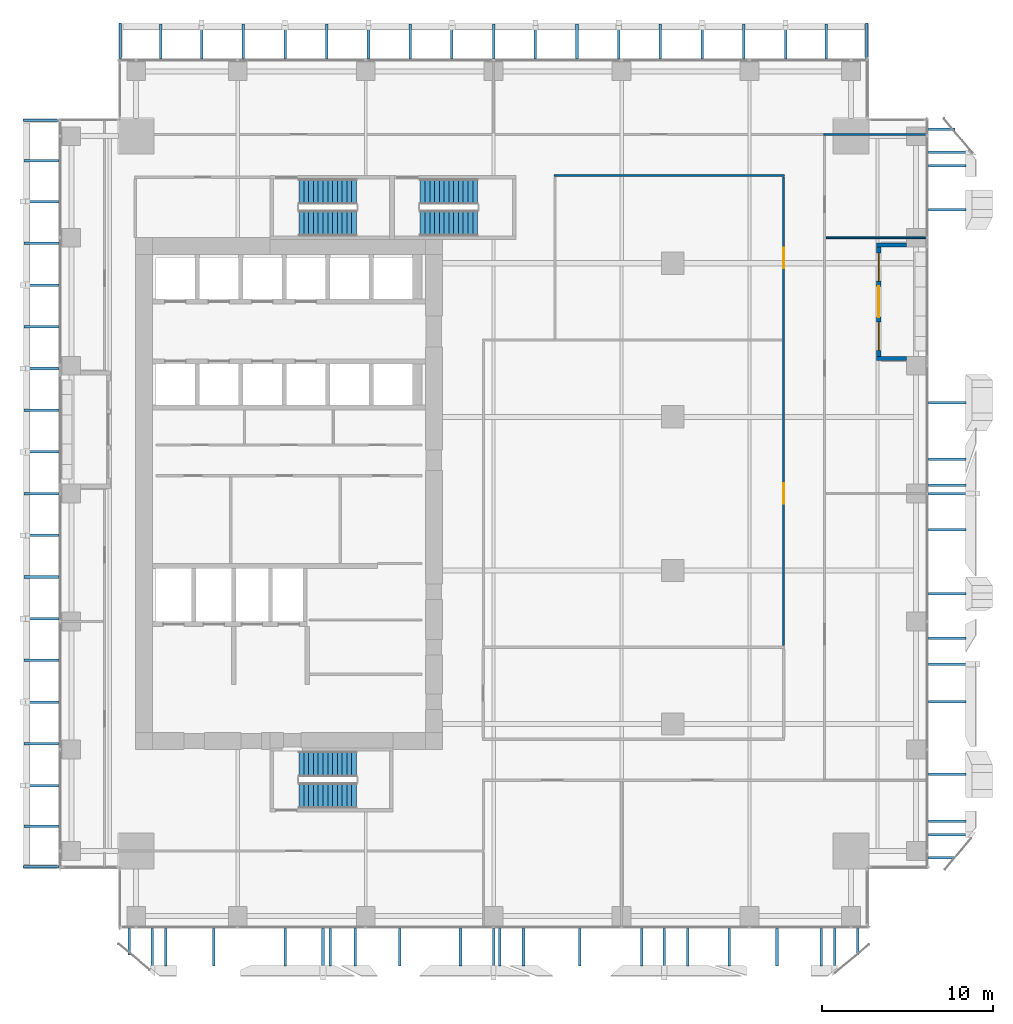
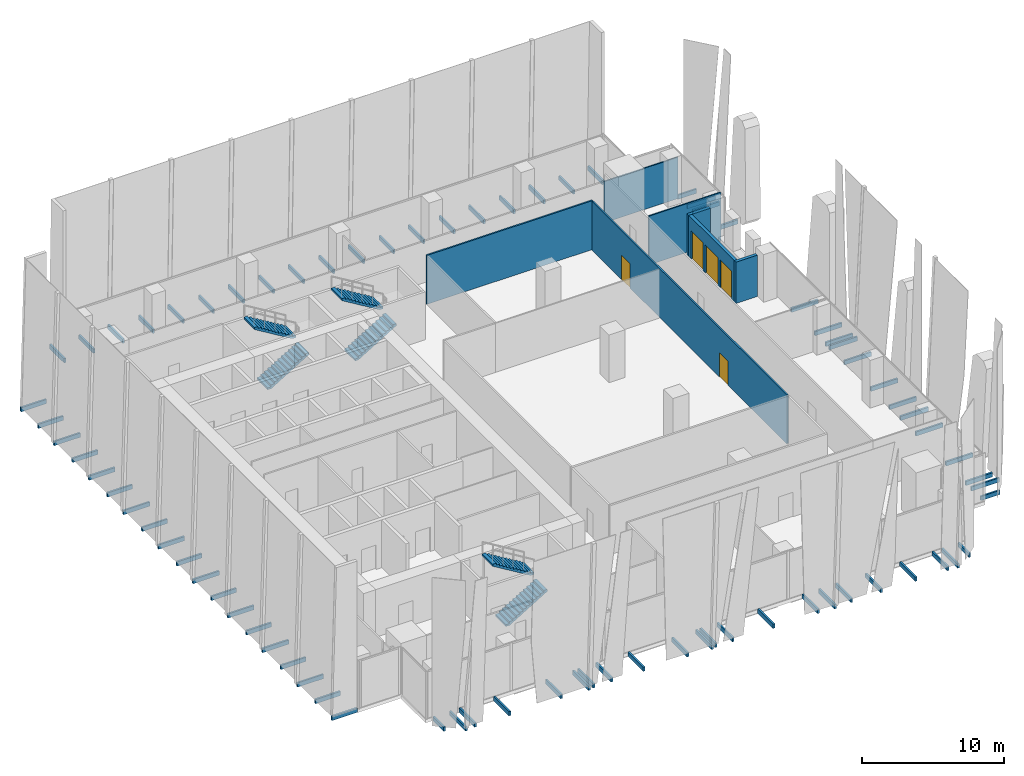
# One storey, part 30 of 35: 77 discrete accessories, 7 walls, 6 stair flights, 3 doors, 2 windows, 5 openings, 3 elements without a shape of their own.
"""IFC4 building model written with IfcOpenShell, lengths in metres."""

import ifcopenshell
import ifcopenshell.guid

model = None  # the IFC model being written
_history = None  # IfcOwnerHistory: only IFC2X3 demands one
_inside = {}  # id of a spatial element -> (the spatial element, [elements in it])
_under = {}  # id of a project, library or spatial element -> (it, [spatial elements below it])
_declared = {}  # id of a project -> (the project, [libraries it declares])
_typed = {}  # id of a type object -> (the type object, [elements of that type])
_made_of = {}  # id of a material, layer set ... -> (it, [elements and type objects made of it])


def new_model(schema):
    """Start an empty IFC model of exactly this schema.

    Asked for "IFC4X3", IfcOpenShell would pick the latest addendum, in which some entities
    have other attributes; the version numbers below select the first issue.
    IFC2X3 requires an IfcOwnerHistory on every rooted entity: one is made here for all.
    """
    global model, _history
    if schema == "IFC4X3":
        model = ifcopenshell.file(schema_version=(4, 3, 0, 0))
    else:
        model = ifcopenshell.file(schema=schema)
    _inside.clear()
    _under.clear()
    _declared.clear()
    _typed.clear()
    _made_of.clear()
    _history = None
    if model.schema == "IFC2X3":
        org = make("IfcOrganization", Name="unknown")
        user = make(
            "IfcPersonAndOrganization",
            ThePerson=make("IfcPerson", FamilyName="unknown"),
            TheOrganization=org,
        )
        app = make(
            "IfcApplication",
            ApplicationDeveloper=org,
            Version="unknown",
            ApplicationFullName="unknown",
            ApplicationIdentifier="unknown",
        )
        _history = make(
            "IfcOwnerHistory",
            OwningUser=user,
            OwningApplication=app,
            ChangeAction="ADDED",
            CreationDate=0,
        )
    return model


def make(cls, **values):
    """One entity of the class cls with the attributes given. An attribute that is None is left unset."""
    return model.create_entity(
        cls, **{name: value for name, value in values.items() if value is not None}
    )


def rooted(cls, **values):
    """An entity with a GlobalId (a new one), such as an element, a storey or a relation."""
    return make(cls, GlobalId=ifcopenshell.guid.new(), OwnerHistory=_history, **values)


def si_unit(unit_type, name, prefix=None):
    """IfcSIUnit, for example si_unit("LENGTHUNIT", "METRE", prefix="MILLI")."""
    return make("IfcSIUnit", UnitType=unit_type, Prefix=prefix, Name=name)


def assignment(units):
    """IfcUnitAssignment: the units of a project."""
    return None if units is None else make("IfcUnitAssignment", Units=units)


def point(xyz):
    """IfcCartesianPoint."""
    return None if xyz is None else make("IfcCartesianPoint", Coordinates=xyz)


def direction(xyz):
    """IfcDirection."""
    return None if xyz is None else make("IfcDirection", DirectionRatios=xyz)


def frame(location, z_axis=None, x_axis=None):
    """IfcAxis2Placement3D, a coordinate frame: its origin and axes. An axis left out is left unset."""
    return make(
        "IfcAxis2Placement3D",
        Location=point(location),
        Axis=direction(z_axis),
        RefDirection=direction(x_axis),
    )


def frame_2d(location, x_axis=None):
    """IfcAxis2Placement2D, a coordinate frame in the plane: its origin and x axis."""
    return make(
        "IfcAxis2Placement2D", Location=point(location), RefDirection=direction(x_axis)
    )


def origin():
    """The frame at (0, 0, 0) with its axes left unset."""
    return frame((0.0, 0.0, 0.0))


def origin_2d():
    """The frame at (0, 0) in the plane with its x axis left unset."""
    return frame_2d((0.0, 0.0))


def place(relative_to, where):
    """IfcLocalPlacement: puts the frame where relative to a parent placement (None: the world)."""
    return make(
        "IfcLocalPlacement", PlacementRelTo=relative_to, RelativePlacement=where
    )


def context(
    kind, dimensions, precision=None, world=None, true_north=None, identifier=None
):
    """IfcGeometricRepresentationContext, for example the 3D "Model" context."""
    return make(
        "IfcGeometricRepresentationContext",
        ContextIdentifier=identifier,
        ContextType=kind,
        CoordinateSpaceDimension=dimensions,
        Precision=precision,
        WorldCoordinateSystem=world,
        TrueNorth=true_north,
    )


def subcontext(parent, identifier, kind, view, scale=None):
    """IfcGeometricRepresentationSubContext, for example "Body" below "Model"."""
    return make(
        "IfcGeometricRepresentationSubContext",
        ContextIdentifier=identifier,
        ContextType=kind,
        ParentContext=parent,
        TargetScale=scale,
        TargetView=view,
    )


def project(units=None, contexts=None):
    """IfcProject with its units and contexts."""
    return rooted(
        "IfcProject",
        Name="project",
        RepresentationContexts=contexts,
        UnitsInContext=assignment(units),
    )


def spatial(cls, under=None, at=None, **own):
    """A site, building, storey or space (cls), placed at a placement, below another one or the project."""
    s = rooted(cls, ObjectPlacement=at, **own)
    if under is not None:
        _under.setdefault(under.id(), (under, []))[1].append(s)
    return s


def polyline(points):
    """IfcPolyline through the points."""
    return make("IfcPolyline", Points=[point(p) for p in points])


def profile(cls, at=None, kind="AREA", **sizes):
    """A parametric profile (cls). Its sizes go by their IFC names, for example OverallWidth=200.0."""
    return make(cls, ProfileType=kind, Position=at, **sizes)


def rectangle(**sizes):
    """IfcRectangleProfileDef."""
    return profile("IfcRectangleProfileDef", **sizes)


def outline(outer, holes=None, kind="AREA"):
    """IfcArbitraryClosedProfileDef: a profile drawn as a closed curve; with holes, ...WithVoids."""
    if holes is None:
        return make("IfcArbitraryClosedProfileDef", ProfileType=kind, OuterCurve=outer)
    return make(
        "IfcArbitraryProfileDefWithVoids",
        ProfileType=kind,
        OuterCurve=outer,
        InnerCurves=holes,
    )


def extrude(swept, where, along, depth):
    """IfcExtrudedAreaSolid: the profile swept, set in the frame where, extruded along a direction by depth."""
    return make(
        "IfcExtrudedAreaSolid",
        SweptArea=swept,
        Position=where,
        ExtrudedDirection=direction(along),
        Depth=depth,
    )


def shape(context_of_items, identifier, shape_type, items):
    """IfcShapeRepresentation: the items that make up one representation, for example the "Body"."""
    return make(
        "IfcShapeRepresentation",
        ContextOfItems=context_of_items,
        RepresentationIdentifier=identifier,
        RepresentationType=shape_type,
        Items=items,
    )


def source(mapping_origin, context_of_items, identifier, shape_type, items):
    """IfcRepresentationMap: a shape defined once, which mapped items show again and again."""
    return make(
        "IfcRepresentationMap",
        MappingOrigin=mapping_origin,
        MappedRepresentation=shape(context_of_items, identifier, shape_type, items),
    )


def transform(
    local_origin,
    x_axis=None,
    y_axis=None,
    z_axis=None,
    scale=None,
    scale2=None,
    scale3=None,
    uniform=True,
):
    """IfcCartesianTransformationOperator3D, or its non-uniform kind. x_axis, y_axis, z_axis: its Axis1, 2, 3."""
    if uniform:
        return make(
            "IfcCartesianTransformationOperator3D",
            Axis1=direction(x_axis),
            Axis2=direction(y_axis),
            LocalOrigin=point(local_origin),
            Scale=scale,
            Axis3=direction(z_axis),
        )
    return make(
        "IfcCartesianTransformationOperator3DnonUniform",
        Axis1=direction(x_axis),
        Axis2=direction(y_axis),
        LocalOrigin=point(local_origin),
        Scale=scale,
        Axis3=direction(z_axis),
        Scale2=scale2,
        Scale3=scale3,
    )


def mapped(mapping_source, mapping_target):
    """IfcMappedItem: shows the shape of a source again, moved by a transform."""
    return make(
        "IfcMappedItem", MappingSource=mapping_source, MappingTarget=mapping_target
    )


def material(Name=None, Category=None):
    """IfcMaterial."""
    return make("IfcMaterial", Name=Name, Category=Category)


def layer(
    of_material, thickness, ventilated=None, Name=None, Category=None, Priority=None
):
    """IfcMaterialLayer: one layer of a wall or slab, of a material (None: an air gap)."""
    return make(
        "IfcMaterialLayer",
        Material=of_material,
        LayerThickness=thickness,
        IsVentilated=ventilated,
        Name=Name,
        Category=Category,
        Priority=Priority,
    )


def layer_set(layers, Name=None):
    """IfcMaterialLayerSet."""
    return make("IfcMaterialLayerSet", MaterialLayers=layers, LayerSetName=Name)


def made_of(thing, what):
    """Note that an element or type object is made of a material, layer set ...; save() writes the relation."""
    if what is not None:
        _made_of.setdefault(what.id(), (what, []))[1].append(thing)
    return thing


def type_object(cls, material=None, **own):
    """A type object (cls), such as IfcWallType, which elements share."""
    return made_of(rooted(cls, **own), material)


def element(
    cls,
    number,
    at=None,
    inside=None,
    cuts=None,
    type_object=None,
    material=None,
    context=None,
    identifier="Body",
    shape_type=None,
    held_by="IfcProductDefinitionShape",
    body=None,
    shapes=None,
    **own,
):
    """One element of the class cls, such as IfcWall. Its Tag is "e" and its number.

    at: its placement. inside: the storey or other place that contains it. cuts: it is an
    opening in that element (IfcRelVoidsElement). A single representation is given by context,
    identifier, shape_type and body (its items); several are given by shapes. held_by: the class
    of the entity that holds the representations. save() writes the other relations.
    """
    e = rooted(cls, Tag="e%d" % number, ObjectPlacement=at, **own)
    if body is not None:
        shapes = [shape(context, identifier, shape_type, body)]
    if shapes is not None:
        e.Representation = make(held_by, Representations=shapes)
    if inside is not None:
        _inside.setdefault(inside.id(), (inside, []))[1].append(e)
    if cuts is not None:
        rooted(
            "IfcRelVoidsElement", RelatingBuildingElement=cuts, RelatedOpeningElement=e
        )
    if type_object is not None:
        _typed.setdefault(type_object.id(), (type_object, []))[1].append(e)
    return made_of(e, material)


def fill(opening, filler):
    """IfcRelFillsElement: the door or window that sits in an opening."""
    return rooted(
        "IfcRelFillsElement",
        RelatingOpeningElement=opening,
        RelatedBuildingElement=filler,
    )


def aggregate(whole, parts):
    """IfcRelAggregates: a whole, such as a stair, and the parts it consists of."""
    return rooted("IfcRelAggregates", RelatingObject=whole, RelatedObjects=parts)


def save(model, path):
    """Write the relations noted so far, then the file.

    IfcRelAggregates (storeys below a building ...), IfcRelContainedInSpatialStructure (elements
    in a storey), IfcRelDefinesByType, IfcRelAssociatesMaterial and IfcRelDeclares: one each for
    every whole, place, type object, material and project.
    """
    for whole, parts in _under.values():
        aggregate(whole, parts)
    for where, things in _inside.values():
        rooted(
            "IfcRelContainedInSpatialStructure",
            RelatedElements=things,
            RelatingStructure=where,
        )
    for kind, things in _typed.values():
        rooted("IfcRelDefinesByType", RelatedObjects=things, RelatingType=kind)
    for what, things in _made_of.values():
        rooted("IfcRelAssociatesMaterial", RelatedObjects=things, RelatingMaterial=what)
    for by, libraries in _declared.values():
        rooted("IfcRelDeclares", RelatingContext=by, RelatedDefinitions=libraries)
    model.write(path)


model = new_model("IFC4")

# Units and contexts
model_context = context("Model", 3, precision=1e-05, world=origin(), true_north=direction((0.0, 1.0)))
body_context = subcontext(model_context, "Body", "Model", "MODEL_VIEW")
ifc_project = project(units=[si_unit("LENGTHUNIT", "METRE"), si_unit("AREAUNIT", "SQUARE_METRE"), si_unit("VOLUMEUNIT", "CUBIC_METRE"), si_unit("PLANEANGLEUNIT", "RADIAN"), si_unit("MASSUNIT", "GRAM", prefix="KILO")], contexts=[model_context])

# Site, building, storey
site_placement = place(None, origin())
site = spatial("IfcSite", under=ifc_project, at=site_placement, CompositionType="ELEMENT")
building_placement = place(site_placement, origin())
building = spatial("IfcBuilding", under=site, at=building_placement, Name="Khomas Fold Tower", CompositionType="ELEMENT")
storey_placement = place(building_placement, frame((0.0, 0.0, 127.89990234375)))
storey = spatial("IfcBuildingStorey", under=building, at=storey_placement, Name="L27", CompositionType="ELEMENT", Elevation=127.89990234375)

# Wall, openings, door, windows
ifc_material_1 = material(Name="Natural stone", Category="masonry")
ifc_layer_1 = layer(ifc_material_1, 0.0400390625)
ifc_material_2 = material(Name="Mineral wool insulation", Category="insulation")
ifc_layer_2 = layer(ifc_material_2, 0.10009765625)
ifc_material_3 = material(Name="Masonry", Category="masonry")
ifc_layer_3 = layer(ifc_material_3, 0.110107421875)
ifc_layer_set_1 = layer_set([ifc_layer_1, ifc_layer_2, ifc_layer_3], Name="Stone-faced insulated masonry")
wall_type_1 = type_object("IfcWallType", Name="BL-Balcony wall", PredefinedType="SOLIDWALL", material=ifc_layer_set_1)
shared_shape_1 = source(origin(), body_context, "Body", "SweptSolid", [
    extrude(rectangle(XDim=6.39990234375, YDim=0.25, at=frame_2d((3.199951171875, 0.0))), origin(), (0.0, 0.0, 1.0), 3.550048828125),
])
wall_1_placement = place(storey_placement, frame((49.574951171875, 35.050048828125, 0.0), z_axis=(0.0, 0.0, 1.0), x_axis=(0.0, 1.0, 0.0)))
wall_1 = element("IfcWall", 1, at=wall_1_placement, inside=storey, type_object=wall_type_1, Name="Balcony wall BAL-L27-E4", PredefinedType="SOLIDWALL", context=body_context, shape_type="MappedRepresentation", body=[
    mapped(shared_shape_1, transform((0.0, 0.0, 0.0))),
])
shared_shape_2 = source(origin(), body_context, "Body", "SweptSolid", [
    extrude(rectangle(XDim=1.64990234375, YDim=2.39990234375, at=frame_2d((0.824951171875, 1.199951171875))), frame((0.0, 0.135009765625, 0.0), z_axis=(0.0, -1.0, 0.0), x_axis=(1.0, 0.0, 0.0)), (0.0, 0.0, 1.0), 0.27001953125),
])
opening_1_placement = place(wall_1_placement, frame((0.35009765625, 0.0, 0.0)))
opening_1 = element("IfcOpeningElement", 2, at=opening_1_placement, cuts=wall_1, Name="Opening BL-W2", PredefinedType="OPENING", context=body_context, shape_type="MappedRepresentation", body=[
    mapped(shared_shape_2, transform((0.0, 0.0, 0.0))),
])
opening_2_placement = place(wall_1_placement, frame((4.39990234375, 0.0, 0.0)))
opening_2 = element("IfcOpeningElement", 3, at=opening_2_placement, cuts=wall_1, Name="Opening BL-W2", PredefinedType="OPENING", context=body_context, shape_type="MappedRepresentation", body=[
    mapped(shared_shape_2, transform((0.0, 0.0, 0.0))),
])
shared_shape_3 = source(origin(), body_context, "Body", "SweptSolid", [
    extrude(rectangle(XDim=1.800048828125, YDim=2.39990234375, at=frame_2d((0.89990234375, 1.199951171875))), frame((0.0, 0.135009765625, 0.0), z_axis=(0.0, -1.0, 0.0), x_axis=(1.0, 0.0, 0.0)), (0.0, 0.0, 1.0), 0.27001953125),
])
opening_3_placement = place(wall_1_placement, frame((2.300048828125, 0.0, 0.0)))
opening_3 = element("IfcOpeningElement", 4, at=opening_3_placement, cuts=wall_1, Name="Opening BD271", PredefinedType="OPENING", context=body_context, shape_type="MappedRepresentation", body=[
    mapped(shared_shape_3, transform((0.0, 0.0, 0.0))),
])
ifc_material_4 = material(Name="Aluminium framed double glazing", Category="aluminium")
door_type_1 = type_object("IfcDoorType", Name="BL-Glazed balcony door 1800 x 2400", OperationType="DOUBLE_DOOR_DOUBLE_SWING", PredefinedType="DOOR", material=ifc_material_4)
shared_shape_4 = source(origin(), body_context, "Body", "SweptSolid", [
    extrude(rectangle(XDim=1.800048828125, YDim=2.39990234375, at=frame_2d((0.89990234375, 1.199951171875))), frame((0.0, 0.02490234375, 0.0), z_axis=(0.0, -1.0, 0.0), x_axis=(1.0, 0.0, 0.0)), (0.0, 0.0, 1.0), 0.050048828125),
])
door_1_placement = place(opening_3_placement, origin())
door_1 = element("IfcDoor", 5, at=door_1_placement, inside=storey, type_object=door_type_1, Name="Balcony door BD271", OperationType="DOUBLE_DOOR_DOUBLE_SWING", OverallHeight=2.39990234375, OverallWidth=1.800048828125, PredefinedType="DOOR", context=body_context, shape_type="MappedRepresentation", body=[
    mapped(shared_shape_4, transform((0.0, 0.0, 0.0))),
])
fill(opening_3, door_1)
ifc_material_5 = material(Name="Aluminium framed double glazing", Category="aluminium")
window_type = type_object("IfcWindowType", Name="BL-Fixed glazing 1650 x 2400", PartitioningType="SINGLE_PANEL", PredefinedType="WINDOW", material=ifc_material_5)
shared_shape_5 = source(origin(), body_context, "Body", "SweptSolid", [
    extrude(rectangle(XDim=1.64990234375, YDim=2.39990234375, at=frame_2d((0.824951171875, 1.199951171875))), frame((0.0, 0.030029296875, 0.0), z_axis=(0.0, -1.0, 0.0), x_axis=(1.0, 0.0, 0.0)), (0.0, 0.0, 1.0), 0.06005859375),
])
window_1_placement = place(opening_1_placement, origin())
window_1 = element("IfcWindow", 6, at=window_1_placement, inside=storey, type_object=window_type, Name="Balcony glazing BAL-L27-E4-1", OverallHeight=2.39990234375, OverallWidth=1.64990234375, PartitioningType="SINGLE_PANEL", PredefinedType="WINDOW", context=body_context, shape_type="MappedRepresentation", body=[
    mapped(shared_shape_5, transform((0.0, 0.0, 0.0))),
])
fill(opening_1, window_1)
window_2_placement = place(opening_2_placement, origin())
window_2 = element("IfcWindow", 7, at=window_2_placement, inside=storey, type_object=window_type, Name="Balcony glazing BAL-L27-E4-2", OverallHeight=2.39990234375, OverallWidth=1.64990234375, PartitioningType="SINGLE_PANEL", PredefinedType="WINDOW", context=body_context, shape_type="MappedRepresentation", body=[
    mapped(shared_shape_5, transform((0.0, 0.0, 0.0))),
])
fill(opening_2, window_2)

# Walls
shared_shape_6 = source(origin(), body_context, "Body", "SweptSolid", [
    extrude(rectangle(XDim=1.75, YDim=0.25, at=frame_2d((0.875, 0.0))), origin(), (0.0, 0.0, 1.0), 3.550048828125),
])
for number, where, z_axis, x_axis, name in (
    (8, (51.199951171875, 34.925048828125, 0.0), (0.0, 0.0, 1.0), (-1.0, 0.0, 0.0), "Balcony return wall BAL-L27-E4-lo"),
    (9, (51.199951171875, 41.574951171875, 0.0), (0.0, 0.0, 1.0), (-1.0, 0.0, 0.0), "Balcony return wall BAL-L27-E4-hi"),
):
    element("IfcWall", number, at=place(storey_placement, frame(where, z_axis=z_axis, x_axis=x_axis)), inside=storey, type_object=wall_type_1, Name=name, PredefinedType="SOLIDWALL", context=body_context, shape_type="MappedRepresentation", body=[
        mapped(shared_shape_6, transform((0.0, 0.0, 0.0))),
    ])
ifc_material_6 = material(Name="Plasterboard partition")
ifc_layer_4 = layer(ifc_material_6, 0.10009765625)
ifc_layer_set_2 = layer_set([ifc_layer_4], Name="Plasterboard partition")
wall_type_2 = type_object("IfcWallType", Name="Partition PW1 100", PredefinedType="PARTITIONING", material=ifc_layer_set_2)
shared_shape_7 = source(origin(), body_context, "Body", "SweptSolid", [
    extrude(rectangle(XDim=6.0, YDim=0.10009765625, at=frame_2d((3.0, 0.0))), origin(), (0.0, 0.0, 1.0), 3.550048828125),
])
wall_2_placement = place(storey_placement, frame((46.35009765625, 48.050048828125, 0.0), z_axis=(0.0, 0.0, 1.0), x_axis=(1.0, 0.0, 0.0)))
element("IfcWall", 10, at=wall_2_placement, inside=storey, type_object=wall_type_2, Name="Partition", PredefinedType="PARTITIONING", context=body_context, shape_type="MappedRepresentation", body=[
    mapped(shared_shape_7, transform((0.0, 0.0, 0.0))),
])
shared_shape_8 = source(origin(), body_context, "Body", "SweptSolid", [
    extrude(rectangle(XDim=5.85009765625, YDim=0.10009765625, at=frame_2d((2.925048828125, 0.0))), origin(), (0.0, 0.0, 1.0), 4.2001953125),
])
wall_3_placement = place(storey_placement, frame((46.5, 42.0, 0.0), z_axis=(0.0, 0.0, 1.0), x_axis=(1.0, 0.0, 0.0)))
element("IfcWall", 11, at=wall_3_placement, inside=storey, type_object=wall_type_2, Name="Partition", PredefinedType="PARTITIONING", context=body_context, shape_type="MappedRepresentation", body=[
    mapped(shared_shape_8, transform((0.0, 0.0, 0.0))),
])
ifc_material_7 = material(Name="Plasterboard partition")
ifc_layer_5 = layer(ifc_material_7, 0.125)
ifc_layer_set_3 = layer_set([ifc_layer_5], Name="Plasterboard partition")
wall_type_3 = type_object("IfcWallType", Name="Partition PW2 125", PredefinedType="PARTITIONING", material=ifc_layer_set_3)
shared_shape_9 = source(origin(), body_context, "Body", "SweptSolid", [
    extrude(rectangle(XDim=13.5, YDim=0.125, at=frame_2d((6.75, 0.0))), origin(), (0.0, 0.0, 1.0), 4.2001953125),
])
wall_4_placement = place(storey_placement, frame((30.550048828125, 45.64990234375, 0.0), z_axis=(0.0, 0.0, 1.0), x_axis=(1.0, 0.0, 0.0)))
element("IfcWall", 12, at=wall_4_placement, inside=storey, type_object=wall_type_3, Name="Partition", PredefinedType="PARTITIONING", context=body_context, shape_type="MappedRepresentation", body=[
    mapped(shared_shape_9, transform((0.0, 0.0, 0.0))),
])

# Wall, openings, doors
shared_shape_10 = source(origin(), body_context, "Body", "SweptSolid", [
    extrude(rectangle(XDim=27.449951171875, YDim=0.125, at=frame_2d((13.72509765625, 0.0))), origin(), (0.0, 0.0, 1.0), 4.2001953125),
])
wall_5_placement = place(storey_placement, frame((44.0, 18.10009765625, 0.0), z_axis=(0.0, 0.0, 1.0), x_axis=(0.0, 1.0, 0.0)))
wall_5 = element("IfcWall", 13, at=wall_5_placement, inside=storey, type_object=wall_type_3, Name="Partition", PredefinedType="PARTITIONING", context=body_context, shape_type="MappedRepresentation", body=[
    mapped(shared_shape_10, transform((0.0, 0.0, 0.0))),
])
shared_shape_11 = source(origin(), body_context, "Body", "SweptSolid", [
    extrude(rectangle(XDim=1.199951171875, YDim=2.10009765625, at=frame_2d((0.60009765625, 1.050048828125))), frame((0.0, 0.072509765625, 0.0), z_axis=(0.0, -1.0, 0.0), x_axis=(1.0, 0.0, 0.0)), (0.0, 0.0, 1.0), 0.14501953125),
])
opening_4_placement = place(wall_5_placement, frame((8.300048828125, 0.0, 0.0)))
opening_4 = element("IfcOpeningElement", 14, at=opening_4_placement, cuts=wall_5, Name="Opening 0001", PredefinedType="OPENING", context=body_context, shape_type="MappedRepresentation", body=[
    mapped(shared_shape_11, transform((0.0, 0.0, 0.0))),
])
opening_5_placement = place(wall_5_placement, frame((22.10009765625, 0.0, 0.0)))
opening_5 = element("IfcOpeningElement", 15, at=opening_5_placement, cuts=wall_5, Name="Opening 0013", PredefinedType="OPENING", context=body_context, shape_type="MappedRepresentation", body=[
    mapped(shared_shape_11, transform((0.0, 0.0, 0.0))),
])
ifc_material_8 = material(Name="Timber door leaf", Category="wood")
door_type_2 = type_object("IfcDoorType", Name="Door 1200x2100 right-hand", OperationType="SINGLE_SWING_RIGHT", PredefinedType="DOOR", material=ifc_material_8)
shared_shape_12 = source(origin(), body_context, "Body", "SweptSolid", [
    extrude(rectangle(XDim=1.199951171875, YDim=2.10009765625, at=frame_2d((0.60009765625, 1.050048828125))), frame((0.0, 0.02490234375, 0.0), z_axis=(0.0, -1.0, 0.0), x_axis=(1.0, 0.0, 0.0)), (0.0, 0.0, 1.0), 0.050048828125),
])
door_2_placement = place(opening_4_placement, origin())
door_2 = element("IfcDoor", 16, at=door_2_placement, inside=storey, type_object=door_type_2, Name="Door", OperationType="SINGLE_SWING_RIGHT", OverallHeight=2.10009765625, OverallWidth=1.199951171875, PredefinedType="DOOR", context=body_context, shape_type="MappedRepresentation", body=[
    mapped(shared_shape_12, transform((0.0, 0.0, 0.0))),
])
fill(opening_4, door_2)
ifc_material_9 = material(Name="Timber door leaf", Category="wood")
door_type_3 = type_object("IfcDoorType", Name="Door 1200x2100 left-hand", OperationType="SINGLE_SWING_LEFT", PredefinedType="DOOR", material=ifc_material_9)
door_3_placement = place(opening_5_placement, origin())
door_3 = element("IfcDoor", 17, at=door_3_placement, inside=storey, type_object=door_type_3, Name="Door", OperationType="SINGLE_SWING_LEFT", OverallHeight=2.10009765625, OverallWidth=1.199951171875, PredefinedType="DOOR", context=body_context, shape_type="MappedRepresentation", body=[
    mapped(shared_shape_12, transform((0.0, 0.0, 0.0))),
])
fill(opening_5, door_3)

# Stair, stair flights
ifc_material_10 = material(Name="Concrete C40/50", Category="concrete")
stair_type_1 = type_object("IfcStairType", Name="Stair ST1", PredefinedType="HALF_TURN_STAIR", material=ifc_material_10)
stair_1_placement = place(storey_placement, origin())
stair_1 = element("IfcStair", 18, at=stair_1_placement, inside=storey, type_object=stair_type_1, Name="L27 ST1", PredefinedType="HALF_TURN_STAIR")
ifc_material_11 = material(Name="Concrete C40/50", Category="concrete")
stair_flight_type_1 = type_object("IfcStairFlightType", Name="Stair flight 1500 ST1", PredefinedType="STRAIGHT", material=ifc_material_11)
shared_shape_13 = source(origin(), body_context, "Body", "SweptSolid", [
    extrude(outline(polyline([(0.0, 0.0), (0.0, 0.012939453125), (0.0, 0.026123046875), (0.0, 0.0390625), (0.0, 0.052001953125), (0.0, 0.065185546875), (0.0, 0.078125), (0.0, 0.091064453125), (0.0, 0.104248046875), (0.0, 0.1171875), (0.0, 0.130126953125), (0.0, 0.143310546875), (0.0, 0.15625), (0.0, 0.169189453125), (0.280029296875, 0.169189453125), (0.280029296875, 0.33837890625), (0.56005859375, 0.33837890625), (0.56005859375, 0.5078125), (0.840087890625, 0.5078125), (0.840087890625, 0.677001953125), (1.1201171875, 0.677001953125), (1.1201171875, 0.84619140625), (1.39990234375, 0.84619140625), (1.39990234375, 1.015380859375), (1.679931640625, 1.015380859375), (1.679931640625, 1.1845703125), (1.9599609375, 1.1845703125), (1.9599609375, 1.353759765625), (2.239990234375, 1.353759765625), (2.239990234375, 1.523193359375), (2.52001953125, 1.523193359375), (2.52001953125, 1.6923828125), (2.800048828125, 1.6923828125), (2.800048828125, 1.861572265625), (3.080078125, 1.861572265625), (3.080078125, 2.03076171875), (3.360107421875, 2.03076171875), (3.360107421875, 2.199951171875), (3.360107421875, 2.173583984375), (3.360107421875, 2.14697265625), (3.360107421875, 2.12060546875), (3.360107421875, 2.093994140625), (3.360107421875, 2.067626953125), (3.360107421875, 2.041015625), (3.360107421875, 2.0146484375), (3.360107421875, 1.988037109375), (3.360107421875, 1.961669921875), (3.360107421875, 1.93505859375), (3.360107421875, 1.90869140625), (3.360107421875, 1.882080078125), (3.360107421875, 1.855712890625), (0.289794921875, 0.0), (0.0, 0.0)])), frame((0.0, 0.75, 0.0), z_axis=(0.0, -1.0, 0.0), x_axis=(1.0, 0.0, 0.0)), (0.0, 0.0, 1.0), 1.5),
])
stair_flight_1_placement = place(storey_placement, frame((15.60009765625, 42.85009765625, 0.0), z_axis=(0.0, 0.0, 1.0), x_axis=(1.0, 0.0, 0.0)))
stair_flight_1 = element("IfcStairFlight", 19, at=stair_flight_1_placement, type_object=stair_flight_type_1, Name="ST1 flight 1", NumberOfRisers=13, NumberOfTreads=12, PredefinedType="STRAIGHT", RiserHeight=0.169230769, TreadLength=0.28, context=body_context, shape_type="MappedRepresentation", body=[
    mapped(shared_shape_13, transform((0.0, 0.0, 0.0))),
])
stair_flight_2_placement = place(storey_placement, frame((18.9599609375, 44.699951171875, 2.2001953125), z_axis=(0.0, 0.0, 1.0), x_axis=(-1.0, 0.0, 0.0)))
stair_flight_2 = element("IfcStairFlight", 20, at=stair_flight_2_placement, type_object=stair_flight_type_1, Name="ST1 flight 2", NumberOfRisers=13, NumberOfTreads=12, PredefinedType="STRAIGHT", RiserHeight=0.169230769, TreadLength=0.28, context=body_context, shape_type="MappedRepresentation", body=[
    mapped(shared_shape_13, transform((0.0, 0.0, 0.0))),
])
aggregate(stair_1, [stair_flight_1, stair_flight_2])

ifc_material_12 = material(Name="Concrete C40/50", Category="concrete")
stair_type_2 = type_object("IfcStairType", Name="Stair ST2", PredefinedType="HALF_TURN_STAIR", material=ifc_material_12)
stair_2_placement = place(storey_placement, origin())
stair_2 = element("IfcStair", 21, at=stair_2_placement, inside=storey, type_object=stair_type_2, Name="L27 ST2", PredefinedType="HALF_TURN_STAIR")
ifc_material_13 = material(Name="Concrete C40/50", Category="concrete")
stair_flight_type_2 = type_object("IfcStairFlightType", Name="Stair flight 1500 ST2", PredefinedType="STRAIGHT", material=ifc_material_13)
stair_flight_3_placement = place(storey_placement, frame((15.60009765625, 9.300048828125, 0.0), z_axis=(0.0, 0.0, 1.0), x_axis=(1.0, 0.0, 0.0)))
stair_flight_3 = element("IfcStairFlight", 22, at=stair_flight_3_placement, type_object=stair_flight_type_2, Name="ST2 flight 1", NumberOfRisers=13, NumberOfTreads=12, PredefinedType="STRAIGHT", RiserHeight=0.169230769, TreadLength=0.28, context=body_context, shape_type="MappedRepresentation", body=[
    mapped(shared_shape_13, transform((0.0, 0.0, 0.0))),
])
stair_flight_4_placement = place(storey_placement, frame((18.9599609375, 11.14990234375, 2.2001953125), z_axis=(0.0, 0.0, 1.0), x_axis=(-1.0, 0.0, 0.0)))
stair_flight_4 = element("IfcStairFlight", 23, at=stair_flight_4_placement, type_object=stair_flight_type_2, Name="ST2 flight 2", NumberOfRisers=13, NumberOfTreads=12, PredefinedType="STRAIGHT", RiserHeight=0.169230769, TreadLength=0.28, context=body_context, shape_type="MappedRepresentation", body=[
    mapped(shared_shape_13, transform((0.0, 0.0, 0.0))),
])
aggregate(stair_2, [stair_flight_3, stair_flight_4])

ifc_material_14 = material(Name="Concrete C40/50", Category="concrete")
stair_type_3 = type_object("IfcStairType", Name="Stair ST3", PredefinedType="HALF_TURN_STAIR", material=ifc_material_14)
stair_3_placement = place(storey_placement, origin())
stair_3 = element("IfcStair", 24, at=stair_3_placement, inside=storey, type_object=stair_type_3, Name="L27 ST3", PredefinedType="HALF_TURN_STAIR")
ifc_material_15 = material(Name="Concrete C40/50", Category="concrete")
stair_flight_type_3 = type_object("IfcStairFlightType", Name="Stair flight 1500 ST3", PredefinedType="STRAIGHT", material=ifc_material_15)
stair_flight_5_placement = place(storey_placement, frame((22.699951171875, 42.85009765625, 0.0), z_axis=(0.0, 0.0, 1.0), x_axis=(1.0, 0.0, 0.0)))
stair_flight_5 = element("IfcStairFlight", 25, at=stair_flight_5_placement, type_object=stair_flight_type_3, Name="ST3 flight 1", NumberOfRisers=13, NumberOfTreads=12, PredefinedType="STRAIGHT", RiserHeight=0.169230769, TreadLength=0.28, context=body_context, shape_type="MappedRepresentation", body=[
    mapped(shared_shape_13, transform((0.0, 0.0, 0.0))),
])
stair_flight_6_placement = place(storey_placement, frame((26.06005859375, 44.699951171875, 2.2001953125), z_axis=(0.0, 0.0, 1.0), x_axis=(-1.0, 0.0, 0.0)))
stair_flight_6 = element("IfcStairFlight", 26, at=stair_flight_6_placement, type_object=stair_flight_type_3, Name="ST3 flight 2", NumberOfRisers=13, NumberOfTreads=12, PredefinedType="STRAIGHT", RiserHeight=0.169230769, TreadLength=0.28, context=body_context, shape_type="MappedRepresentation", body=[
    mapped(shared_shape_13, transform((0.0, 0.0, 0.0))),
])
aggregate(stair_3, [stair_flight_5, stair_flight_6])

# Discrete accessories
ifc_material_16 = material(Name="Stainless steel", Category="steel")
discrete_accessory_type = type_object("IfcDiscreteAccessoryType", Name="SK-Stainless steel stone bracket", PredefinedType="BRACKET", material=ifc_material_16)
shared_shape_14 = source(origin(), body_context, "Body", "SweptSolid", [
    extrude(rectangle(XDim=2.1796875, YDim=0.14990234375, at=origin_2d()), origin(), (0.0, 0.0, 1.0), 0.360107421875),
])
for number, where, z_axis, x_axis, name in (
    (27, (10.587158203125, 0.41015625, -0.2998046875), (0.0, 0.0, 1.0), (0.0, -1.0, 0.0), "Stone bracket L27 SS03-1-3"),
    (28, (21.503662109375, 0.41015625, -0.2998046875), (0.0, 0.0, 1.0), (0.0, -1.0, 0.0), "Stone bracket L27 SS06-2-3"),
    (29, (32.053955078125, 0.41015625, -0.2998046875), (0.0, 0.0, 1.0), (0.0, -1.0, 0.0), "Stone bracket L27 SS09-3-3"),
    (30, (43.611572265625, 0.41015625, -0.2998046875), (0.0, 0.0, 1.0), (0.0, -1.0, 0.0), "Stone bracket L27 SS12-4-3"),
    (31, (53.58984375, 10.557861328125, -0.2998046875), (0.0, 0.0, 1.0), (1.0, 0.0, 0.0), "Stone bracket L27 ES03-1-1"),
    (32, (53.58984375, 21.12744140625, -0.2998046875), (0.0, 0.0, 1.0), (1.0, 0.0, 0.0), "Stone bracket L27 ES06-2-1"),
    (33, (53.58984375, 32.3271484375, -0.2998046875), (0.0, 0.0, 1.0), (1.0, 0.0, 0.0), "Stone bracket L27 ES09-3-1"),
    (34, (53.58984375, 43.6376953125, -0.2998046875), (0.0, 0.0, 1.0), (1.0, 0.0, 0.0), "Stone bracket L27 ES12-4-1"),
    (35, (7.784912109375, 0.41015625, -0.2998046875), (0.0, 0.0, 1.0), (0.0, -1.0, 0.0), "Stone bracket L27 SG099-2-1"),
    (36, (18.8955078125, 0.41015625, -0.2998046875), (0.0, 0.0, 1.0), (0.0, -1.0, 0.0), "Stone bracket L27 SG101-4-1"),
    (37, (14.800537109375, 0.41015625, -0.2998046875), (0.0, 0.0, 1.0), (0.0, -1.0, 0.0), "Stone bracket L27 SG100-5-1"),
    (38, (17.42529296875, 0.41015625, -0.2998046875), (0.0, 0.0, 1.0), (0.0, -1.0, 0.0), "Stone bracket L27 SG101-7-1"),
    (39, (28.750732421875, 0.41015625, -0.2998046875), (0.0, 0.0, 1.0), (0.0, -1.0, 0.0), "Stone bracket L27 SG103-8-1"),
    (40, (25.060791015625, 0.41015625, -0.2998046875), (0.0, 0.0, 1.0), (0.0, -1.0, 0.0), "Stone bracket L27 SG102-9-1"),
    (41, (27.35302734375, 0.41015625, -0.2998046875), (0.0, 0.0, 1.0), (0.0, -1.0, 0.0), "Stone bracket L27 SG103-11-1"),
    (42, (40.80517578125, 0.41015625, -0.2998046875), (0.0, 0.0, 1.0), (0.0, -1.0, 0.0), "Stone bracket L27 SG105-12-1"),
    (43, (35.68359375, 0.41015625, -0.2998046875), (0.0, 0.0, 1.0), (0.0, -1.0, 0.0), "Stone bracket L27 SG104-13-1"),
    (44, (38.38037109375, 0.41015625, -0.2998046875), (0.0, 0.0, 1.0), (0.0, -1.0, 0.0), "Stone bracket L27 SG105-15-1"),
    (45, (46.215087890625, 0.41015625, -0.2998046875), (0.0, 0.0, 1.0), (0.0, -1.0, 0.0), "Stone bracket L27 SG106-16-1"),
    (46, (53.58984375, 7.784912109375, -0.2998046875), (0.0, 0.0, 1.0), (1.0, 0.0, 0.0), "Stone bracket L27 EG099-2-1"),
    (47, (53.58984375, 18.529541015625, -0.2998046875), (0.0, 0.0, 1.0), (1.0, 0.0, 0.0), "Stone bracket L27 EG101-4-1"),
    (48, (53.58984375, 14.800537109375, -0.2998046875), (0.0, 0.0, 1.0), (1.0, 0.0, 0.0), "Stone bracket L27 EG100-5-1"),
    (49, (53.58984375, 29.013671875, -0.2998046875), (0.0, 0.0, 1.0), (1.0, 0.0, 0.0), "Stone bracket L27 EG103-7-1"),
    (50, (53.58984375, 24.8779296875, -0.2998046875), (0.0, 0.0, 1.0), (1.0, 0.0, 0.0), "Stone bracket L27 EG102-8-1"),
    (51, (53.58984375, 27.484375, -0.2998046875), (0.0, 0.0, 1.0), (1.0, 0.0, 0.0), "Stone bracket L27 EG103-10-1"),
    (52, (53.58984375, 46.215087890625, -0.2998046875), (0.0, 0.0, 1.0), (1.0, 0.0, 0.0), "Stone bracket L27 EG106-11-1"),
):
    element("IfcDiscreteAccessory", number, at=place(storey_placement, frame(where, z_axis=z_axis, x_axis=x_axis)), inside=storey, type_object=discrete_accessory_type, Name=name, PredefinedType="BRACKET", context=body_context, shape_type="MappedRepresentation", body=[
        mapped(shared_shape_14, transform((0.0, 0.0, 0.0))),
    ])
shared_shape_15 = source(origin(), body_context, "Body", "SweptSolid", [
    extrude(rectangle(XDim=2.274658203125, YDim=0.14990234375, at=origin_2d()), origin(), (0.0, 0.0, 1.0), 0.360107421875),
])
for number, where, z_axis, x_axis, name in (
    (53, (7.0, 0.36279296875, -0.2998046875), (0.0, 0.0, 1.0), (0.0, -1.0, 0.0), "Stone bracket L27 SM099-1-1"),
    (54, (17.0, 0.36279296875, -0.2998046875), (0.0, 0.0, 1.0), (0.0, -1.0, 0.0), "Stone bracket L27 SM101-6-1"),
    (55, (27.0, 0.36279296875, -0.2998046875), (0.0, 0.0, 1.0), (0.0, -1.0, 0.0), "Stone bracket L27 SM103-10-1"),
    (56, (37.0, 0.36279296875, -0.2998046875), (0.0, 0.0, 1.0), (0.0, -1.0, 0.0), "Stone bracket L27 SM105-14-1"),
    (57, (47.0, 0.36279296875, -0.2998046875), (0.0, 0.0, 1.0), (0.0, -1.0, 0.0), "Stone bracket L27 SM107-17-1"),
    (58, (53.63720703125, 7.0, -0.2998046875), (0.0, 0.0, 1.0), (1.0, 0.0, 0.0), "Stone bracket L27 EM099-1-1"),
    (59, (53.63720703125, 17.0, -0.2998046875), (0.0, 0.0, 1.0), (1.0, 0.0, 0.0), "Stone bracket L27 EM101-6-1"),
    (60, (53.63720703125, 27.0, -0.2998046875), (0.0, 0.0, 1.0), (1.0, 0.0, 0.0), "Stone bracket L27 EM103-9-1"),
    (61, (53.63720703125, 47.0, -0.2998046875), (0.0, 0.0, 1.0), (1.0, 0.0, 0.0), "Stone bracket L27 EM107-12-1"),
):
    element("IfcDiscreteAccessory", number, at=place(storey_placement, frame(where, z_axis=z_axis, x_axis=x_axis)), inside=storey, type_object=discrete_accessory_type, Name=name, PredefinedType="BRACKET", context=body_context, shape_type="MappedRepresentation", body=[
        mapped(shared_shape_15, transform((0.0, 0.0, 0.0))),
    ])
shared_shape_16 = source(origin(), body_context, "Body", "SweptSolid", [
    extrude(rectangle(XDim=1.5322265625, YDim=0.14990234375, at=origin_2d()), origin(), (0.0, 0.0, 1.0), 0.360107421875),
])
for number, where, z_axis, x_axis, name in (
    (62, (5.65380859375, 0.73388671875, -0.2998046875), (0.0, 0.0, 1.0), (0.0, -1.0, 0.0), "Stone bracket L27 SG098-3-1"),
    (63, (48.34619140625, 0.73388671875, -0.2998046875), (0.0, 0.0, 1.0), (0.0, -1.0, 0.0), "Stone bracket L27 SG107-18-1"),
    (64, (53.26611328125, 5.65380859375, -0.2998046875), (0.0, 0.0, 1.0), (1.0, 0.0, 0.0), "Stone bracket L27 EG098-3-1"),
    (65, (53.26611328125, 48.34619140625, -0.2998046875), (0.0, 0.0, 1.0), (1.0, 0.0, 0.0), "Stone bracket L27 EG107-13-1"),
):
    element("IfcDiscreteAccessory", number, at=place(storey_placement, frame(where, z_axis=z_axis, x_axis=x_axis)), inside=storey, type_object=discrete_accessory_type, Name=name, PredefinedType="BRACKET", context=body_context, shape_type="MappedRepresentation", body=[
        mapped(shared_shape_16, transform((0.0, 0.0, 0.0))),
    ])
shared_shape_17 = source(origin(), body_context, "Body", "SweptSolid", [
    extrude(rectangle(XDim=2.032958984375, YDim=0.14990234375, at=origin_2d()), origin(), (0.0, 0.0, 1.0), 0.360107421875),
])
for number, where, z_axis, x_axis, name in (
    (66, (7.494384765625, 53.516357421875, -0.2998046875), (0.0, 0.0, 1.0), (0.0, 1.0, 0.0), "Stone bracket L27 PLNG01"),
    (67, (12.333251953125, 53.516357421875, -0.2998046875), (0.0, 0.0, 1.0), (0.0, 1.0, 0.0), "Stone bracket L27 PLNG03"),
    (68, (17.22216796875, 53.516357421875, -0.2998046875), (0.0, 0.0, 1.0), (0.0, 1.0, 0.0), "Stone bracket L27 PLNG05"),
    (69, (22.111083984375, 53.516357421875, -0.2998046875), (0.0, 0.0, 1.0), (0.0, 1.0, 0.0), "Stone bracket L27 PLNG07"),
    (70, (27.0, 53.516357421875, -0.2998046875), (0.0, 0.0, 1.0), (0.0, 1.0, 0.0), "Stone bracket L27 PLNG09"),
    (71, (31.888916015625, 53.516357421875, -0.2998046875), (0.0, 0.0, 1.0), (0.0, 1.0, 0.0), "Stone bracket L27 PLNG11"),
    (72, (36.77783203125, 53.516357421875, -0.2998046875), (0.0, 0.0, 1.0), (0.0, 1.0, 0.0), "Stone bracket L27 PLNG13"),
    (73, (41.666748046875, 53.516357421875, -0.2998046875), (0.0, 0.0, 1.0), (0.0, 1.0, 0.0), "Stone bracket L27 PLNG15"),
    (74, (46.505615234375, 53.516357421875, -0.2998046875), (0.0, 0.0, 1.0), (0.0, 1.0, 0.0), "Stone bracket L27 PLNG17"),
    (75, (0.483642578125, 7.494384765625, -0.2998046875), (0.0, 0.0, 1.0), (-1.0, 0.0, 0.0), "Stone bracket L27 PLWG01"),
    (76, (0.483642578125, 12.333251953125, -0.2998046875), (0.0, 0.0, 1.0), (-1.0, 0.0, 0.0), "Stone bracket L27 PLWG03"),
    (77, (0.483642578125, 17.22216796875, -0.2998046875), (0.0, 0.0, 1.0), (-1.0, 0.0, 0.0), "Stone bracket L27 PLWG05"),
    (78, (0.483642578125, 22.111083984375, -0.2998046875), (0.0, 0.0, 1.0), (-1.0, 0.0, 0.0), "Stone bracket L27 PLWG07"),
    (79, (0.483642578125, 27.0, -0.2998046875), (0.0, 0.0, 1.0), (-1.0, 0.0, 0.0), "Stone bracket L27 PLWG09"),
    (80, (0.483642578125, 31.888916015625, -0.2998046875), (0.0, 0.0, 1.0), (-1.0, 0.0, 0.0), "Stone bracket L27 PLWG11"),
    (81, (0.483642578125, 36.77783203125, -0.2998046875), (0.0, 0.0, 1.0), (-1.0, 0.0, 0.0), "Stone bracket L27 PLWG13"),
    (82, (0.483642578125, 41.666748046875, -0.2998046875), (0.0, 0.0, 1.0), (-1.0, 0.0, 0.0), "Stone bracket L27 PLWG15"),
    (83, (0.483642578125, 46.505615234375, -0.2998046875), (0.0, 0.0, 1.0), (-1.0, 0.0, 0.0), "Stone bracket L27 PLWG17"),
):
    element("IfcDiscreteAccessory", number, at=place(storey_placement, frame(where, z_axis=z_axis, x_axis=x_axis)), inside=storey, type_object=discrete_accessory_type, Name=name, PredefinedType="BRACKET", context=body_context, shape_type="MappedRepresentation", body=[
        mapped(shared_shape_17, transform((0.0, 0.0, 0.0))),
    ])
shared_shape_18 = source(origin(), body_context, "Body", "SweptSolid", [
    extrude(rectangle(XDim=2.1279296875, YDim=0.14990234375, at=origin_2d()), origin(), (0.0, 0.0, 1.0), 0.360107421875),
])
for number, where, z_axis, x_axis, name in (
    (84, (9.888916015625, 53.56396484375, -0.2998046875), (0.0, 0.0, 1.0), (0.0, 1.0, 0.0), "Stone bracket L27 PLNM02"),
    (85, (14.77783203125, 53.56396484375, -0.2998046875), (0.0, 0.0, 1.0), (0.0, 1.0, 0.0), "Stone bracket L27 PLNM04"),
    (86, (19.666748046875, 53.56396484375, -0.2998046875), (0.0, 0.0, 1.0), (0.0, 1.0, 0.0), "Stone bracket L27 PLNM06"),
    (87, (24.5556640625, 53.56396484375, -0.2998046875), (0.0, 0.0, 1.0), (0.0, 1.0, 0.0), "Stone bracket L27 PLNM08"),
    (88, (29.4443359375, 53.56396484375, -0.2998046875), (0.0, 0.0, 1.0), (0.0, 1.0, 0.0), "Stone bracket L27 PLNM10"),
    (89, (34.333251953125, 53.56396484375, -0.2998046875), (0.0, 0.0, 1.0), (0.0, 1.0, 0.0), "Stone bracket L27 PLNM12"),
    (90, (39.22216796875, 53.56396484375, -0.2998046875), (0.0, 0.0, 1.0), (0.0, 1.0, 0.0), "Stone bracket L27 PLNM14"),
    (91, (44.111083984375, 53.56396484375, -0.2998046875), (0.0, 0.0, 1.0), (0.0, 1.0, 0.0), "Stone bracket L27 PLNM16"),
    (92, (0.43603515625, 9.888916015625, -0.2998046875), (0.0, 0.0, 1.0), (-1.0, 0.0, 0.0), "Stone bracket L27 PLWM02"),
    (93, (0.43603515625, 14.77783203125, -0.2998046875), (0.0, 0.0, 1.0), (-1.0, 0.0, 0.0), "Stone bracket L27 PLWM04"),
    (94, (0.43603515625, 19.666748046875, -0.2998046875), (0.0, 0.0, 1.0), (-1.0, 0.0, 0.0), "Stone bracket L27 PLWM06"),
    (95, (0.43603515625, 24.5556640625, -0.2998046875), (0.0, 0.0, 1.0), (-1.0, 0.0, 0.0), "Stone bracket L27 PLWM08"),
    (96, (0.43603515625, 29.4443359375, -0.2998046875), (0.0, 0.0, 1.0), (-1.0, 0.0, 0.0), "Stone bracket L27 PLWM10"),
    (97, (0.43603515625, 34.333251953125, -0.2998046875), (0.0, 0.0, 1.0), (-1.0, 0.0, 0.0), "Stone bracket L27 PLWM12"),
    (98, (0.43603515625, 39.22216796875, -0.2998046875), (0.0, 0.0, 1.0), (-1.0, 0.0, 0.0), "Stone bracket L27 PLWM14"),
    (99, (0.43603515625, 44.111083984375, -0.2998046875), (0.0, 0.0, 1.0), (-1.0, 0.0, 0.0), "Stone bracket L27 PLWM16"),
):
    element("IfcDiscreteAccessory", number, at=place(storey_placement, frame(where, z_axis=z_axis, x_axis=x_axis)), inside=storey, type_object=discrete_accessory_type, Name=name, PredefinedType="BRACKET", context=body_context, shape_type="MappedRepresentation", body=[
        mapped(shared_shape_18, transform((0.0, 0.0, 0.0))),
    ])
shared_shape_19 = source(origin(), body_context, "Body", "SweptSolid", [
    extrude(rectangle(XDim=2.072998046875, YDim=0.14990234375, at=origin_2d()), origin(), (0.0, 0.0, 1.0), 0.360107421875),
])
for number, where, z_axis, x_axis, name in (
    (100, (5.125, 53.536376953125, -0.2998046875), (0.0, 0.0, 1.0), (0.0, 1.0, 0.0), "Stone bracket L27 PLNR1"),
    (101, (48.875, 53.536376953125, -0.2998046875), (0.0, 0.0, 1.0), (0.0, 1.0, 0.0), "Stone bracket L27 PLNR2"),
    (102, (0.463623046875, 5.125, -0.2998046875), (0.0, 0.0, 1.0), (-1.0, 0.0, 0.0), "Stone bracket L27 PLWR1"),
    (103, (0.463623046875, 48.875, -0.2998046875), (0.0, 0.0, 1.0), (-1.0, 0.0, 0.0), "Stone bracket L27 PLWR2"),
):
    element("IfcDiscreteAccessory", number, at=place(storey_placement, frame(where, z_axis=z_axis, x_axis=x_axis)), inside=storey, type_object=discrete_accessory_type, Name=name, PredefinedType="BRACKET", context=body_context, shape_type="MappedRepresentation", body=[
        mapped(shared_shape_19, transform((0.0, 0.0, 0.0))),
    ])

save(model, "model.ifc")
